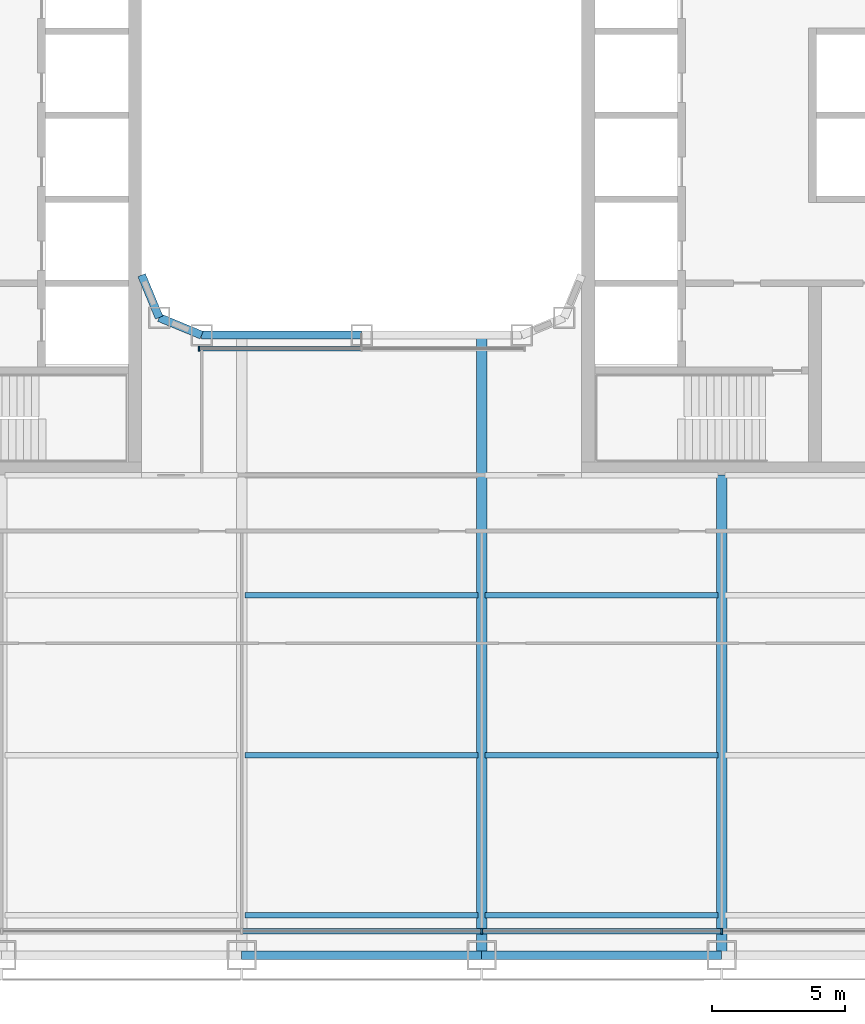
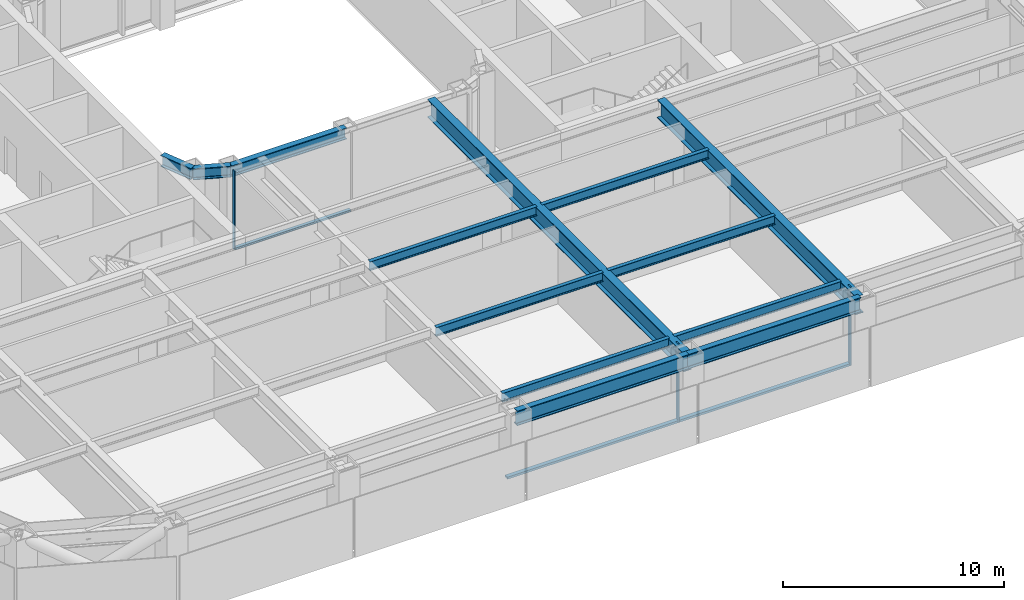
# One storey, part 3 of 30: 13 beams, 6 members, 2 elements without a shape of their own.
"""IFC4 building model written with IfcOpenShell, lengths in metres."""

from ifc_helpers import new_model, si_unit, direction, frame, origin, origin_2d, place, context, subcontext, project, spatial, rectangle, i_section, extrude, material, layer, layer_set, material_profile, profile_set, type_object, element, aggregate, save


model = new_model("IFC4")

# Units and contexts
model_context = context("Model", 3, precision=1e-05, world=origin(), true_north=direction((0.0, 1.0)))
body_context = subcontext(model_context, "Body", "Model", "MODEL_VIEW")
ifc_project = project(units=[si_unit("LENGTHUNIT", "METRE"), si_unit("AREAUNIT", "SQUARE_METRE"), si_unit("VOLUMEUNIT", "CUBIC_METRE"), si_unit("PLANEANGLEUNIT", "RADIAN"), si_unit("MASSUNIT", "GRAM", prefix="KILO")], contexts=[model_context])

# Site, building, storey
site_placement = place(None, origin())
site = spatial("IfcSite", under=ifc_project, at=site_placement, CompositionType="ELEMENT")
building_placement = place(site_placement, origin())
building = spatial("IfcBuilding", under=site, at=building_placement, Name="Siwar Civic Tower", CompositionType="ELEMENT")
storey_placement = place(building_placement, frame((0.0, 0.0, 26.699951171875)))
storey = spatial("IfcBuildingStorey", under=building, at=storey_placement, Name="L05", CompositionType="ELEMENT", Elevation=26.699951171875)

# Curtain wall, members
ifc_material_1 = material(Name="Aluminium and glass", Category="aluminium")
ifc_layer_1 = layer(ifc_material_1, 0.219970703125)
ifc_layer_set_1 = layer_set([ifc_layer_1], Name="Aluminium and glass")
curtain_wall_type_1 = type_object("IfcCurtainWallType", Name="ENV-CW-A", PredefinedType="NOTDEFINED", material=ifc_layer_set_1)
curtain_wall_1_placement = place(storey_placement, origin())
curtain_wall_1 = element("IfcCurtainWall", 1, at=curtain_wall_1_placement, inside=storey, type_object=curtain_wall_type_1, Name="Curtain wall A S", PredefinedType="NOTDEFINED")
ifc_material_2 = material(Name="Aluminium 6063-T6", Category="aluminium")
ifc_material_profile_1 = material_profile(ifc_material_2, rectangle(XDim=0.219970703125, YDim=0.070068359375, at=origin_2d()), Name="AL 220x70")
ifc_profile_set_1 = profile_set([ifc_material_profile_1], Name="Aluminium 6063-T6")
member_type_1 = type_object("IfcMemberType", Name="ENV-MULLION-A", PredefinedType="MULLION", material=ifc_profile_set_1)
member_1_placement = place(storey_placement, frame((4.5, -30.60009765625, 0.0), z_axis=(0.0, 0.0, 1.0), x_axis=(0.0, 1.0, 0.0)))
member_1 = element("IfcMember", 2, at=member_1_placement, type_object=member_type_1, Name="Mullion A S 4", PredefinedType="MULLION", context=body_context, shape_type="SweptSolid", body=[
    extrude(rectangle(XDim=0.219970703125, YDim=0.070068359375, at=origin_2d()), origin(), (0.0, 0.0, 1.0), 4.35009765625),
])
member_2_placement = place(storey_placement, frame((13.5, -30.60009765625, 0.0), z_axis=(0.0, 0.0, 1.0), x_axis=(0.0, 1.0, 0.0)))
member_2 = element("IfcMember", 3, at=member_2_placement, type_object=member_type_1, Name="Mullion A S 5", PredefinedType="MULLION", context=body_context, shape_type="SweptSolid", body=[
    extrude(rectangle(XDim=0.219970703125, YDim=0.070068359375, at=origin_2d()), origin(), (0.0, 0.0, 1.0), 4.35009765625),
])

# Curtain wall, member
ifc_material_3 = material(Name="Aluminium and glass", Category="aluminium")
ifc_layer_2 = layer(ifc_material_3, 0.179931640625)
ifc_layer_set_2 = layer_set([ifc_layer_2], Name="Aluminium and glass")
curtain_wall_type_2 = type_object("IfcCurtainWallType", Name="ENV-CW-W", PredefinedType="NOTDEFINED", material=ifc_layer_set_2)
curtain_wall_2_placement = place(storey_placement, origin())
curtain_wall_2 = element("IfcCurtainWall", 4, at=curtain_wall_2_placement, inside=storey, type_object=curtain_wall_type_2, Name="Curtain wall W WS", PredefinedType="NOTDEFINED")
ifc_material_4 = material(Name="Aluminium 6063-T6", Category="aluminium")
ifc_material_profile_2 = material_profile(ifc_material_4, rectangle(XDim=0.179931640625, YDim=0.06005859375, at=origin_2d()), Name="AL 180x60")
ifc_profile_set_2 = profile_set([ifc_material_profile_2], Name="Aluminium 6063-T6")
member_type_2 = type_object("IfcMemberType", Name="ENV-MULLION-W", PredefinedType="MULLION", material=ifc_profile_set_2)
member_3_placement = place(storey_placement, frame((-6.1015625, -8.760009765625, 0.0), z_axis=(0.0, 0.0, 1.0), x_axis=(0.0, 1.0, 0.0)))
member_3 = element("IfcMember", 5, at=member_3_placement, type_object=member_type_2, Name="Mullion W WS 1", PredefinedType="MULLION", context=body_context, shape_type="SweptSolid", body=[
    extrude(rectangle(XDim=0.179931640625, YDim=0.06005859375, at=origin_2d()), origin(), (0.0, 0.0, 1.0), 4.35009765625),
])

# Member
ifc_material_5 = material(Name="Aluminium 6063-T6", Category="aluminium")
ifc_material_profile_3 = material_profile(ifc_material_5, rectangle(XDim=0.219970703125, YDim=0.1201171875, at=origin_2d()), Name="AL 220x120")
ifc_profile_set_3 = profile_set([ifc_material_profile_3], Name="Aluminium 6063-T6")
member_type_3 = type_object("IfcMemberType", Name="ENV-TRANSOM-A", PredefinedType="USERDEFINED", material=ifc_profile_set_3)
member_4_placement = place(storey_placement, frame((-4.465087890625, -30.60009765625, 0.06005859375), z_axis=(1.0, 0.0, 0.0), x_axis=(0.0, 1.0, 0.0)))
member_4 = element("IfcMember", 6, at=member_4_placement, type_object=member_type_3, Name="Transom A S 3", ObjectType="TRANSOM", PredefinedType="USERDEFINED", context=body_context, shape_type="SweptSolid", body=[
    extrude(rectangle(XDim=0.219970703125, YDim=0.1201171875, at=origin_2d()), origin(), (0.0, 0.0, 1.0), 8.93017578125),
])

member_5_placement = place(storey_placement, frame((4.534912109375, -30.60009765625, 0.06005859375), z_axis=(1.0, 0.0, 0.0), x_axis=(0.0, 1.0, 0.0)))
member_5 = element("IfcMember", 7, at=member_5_placement, type_object=member_type_3, Name="Transom A S 4", ObjectType="TRANSOM", PredefinedType="USERDEFINED", context=body_context, shape_type="SweptSolid", body=[
    extrude(rectangle(XDim=0.219970703125, YDim=0.1201171875, at=origin_2d()), origin(), (0.0, 0.0, 1.0), 8.93017578125),
])

aggregate(curtain_wall_1, [member_1, member_2, member_4, member_5])

ifc_material_6 = material(Name="Aluminium 6063-T6", Category="aluminium")
ifc_material_profile_4 = material_profile(ifc_material_6, rectangle(XDim=0.179931640625, YDim=0.10009765625, at=origin_2d()), Name="AL 180x100")
ifc_profile_set_4 = profile_set([ifc_material_profile_4], Name="Aluminium 6063-T6")
member_type_4 = type_object("IfcMemberType", Name="ENV-TRANSOM-W", PredefinedType="USERDEFINED", material=ifc_profile_set_4)
member_6_placement = place(storey_placement, frame((-6.071533203125, -8.760009765625, 0.050048828125), z_axis=(1.0, 0.0, 0.0), x_axis=(0.0, 1.0, 0.0)))
member_6 = element("IfcMember", 8, at=member_6_placement, type_object=member_type_4, Name="Transom W WS 1", ObjectType="TRANSOM", PredefinedType="USERDEFINED", context=body_context, shape_type="SweptSolid", body=[
    extrude(rectangle(XDim=0.179931640625, YDim=0.10009765625, at=origin_2d()), origin(), (0.0, 0.0, 1.0), 6.04150390625),
])

aggregate(curtain_wall_2, [member_3, member_6])

# Beams
ifc_material_7 = material(Name="Steel S355", Category="steel")
ifc_material_profile_5 = material_profile(ifc_material_7, i_section(OverallWidth=0.199951171875, OverallDepth=0.5, WebThickness=0.01025390625, FlangeThickness=0.01611328125, FilletRadius=0.02099609375, at=origin_2d()), Name="IPE500")
ifc_profile_set_5 = profile_set([ifc_material_profile_5], Name="Steel S355")
beam_type_1 = type_object("IfcBeamType", Name="STR-FB-IPE500", PredefinedType="JOIST", material=ifc_profile_set_5)
for number, where, z_axis, x_axis, name in (
    (9, (-4.3701171875, -30.0, 4.10009765625), (1.0, 0.0, 0.0), (0.0, 1.0, 0.0), "L05/bm/F004"),
    (10, (4.6298828125, -30.0, 4.10009765625), (1.0, 0.0, 0.0), (0.0, 1.0, 0.0), "L05/bm/F005"),
    (11, (-4.3701171875, -24.0, 4.10009765625), (1.0, 0.0, 0.0), (0.0, 1.0, 0.0), "L05/bm/F011"),
    (12, (4.6298828125, -24.0, 4.10009765625), (1.0, 0.0, 0.0), (0.0, 1.0, 0.0), "L05/bm/F012"),
    (13, (-4.3701171875, -18.0, 4.10009765625), (1.0, 0.0, 0.0), (0.0, 1.0, 0.0), "L05/bm/F018"),
    (14, (4.6298828125, -18.0, 4.10009765625), (1.0, 0.0, 0.0), (0.0, 1.0, 0.0), "L05/bm/F019"),
):
    element("IfcBeam", number, at=place(storey_placement, frame(where, z_axis=z_axis, x_axis=x_axis)), inside=storey, type_object=beam_type_1, Name=name, PredefinedType="JOIST", context=body_context, shape_type="SweptSolid", body=[
        extrude(i_section(OverallWidth=0.199951171875, OverallDepth=0.5, WebThickness=0.01025390625, FlangeThickness=0.01611328125, FilletRadius=0.02099609375, at=origin_2d()), origin(), (0.0, 0.0, 1.0), 8.740234375),
    ])
ifc_material_8 = material(Name="Steel S355", Category="steel")
ifc_material_profile_6 = material_profile(ifc_material_8, i_section(OverallWidth=0.39990234375, OverallDepth=1.0, WebThickness=0.01611328125, FlangeThickness=0.0400390625, at=origin_2d()), Name="PG1000x400x16x40")
ifc_profile_set_6 = profile_set([ifc_material_profile_6], Name="Steel S355")
beam_type_2 = type_object("IfcBeamType", Name="STR-PG-PG1000x400x16x40", PredefinedType="BEAM", material=ifc_profile_set_6)
beam_1_placement = place(storey_placement, frame((4.5, -31.5, 3.85009765625), z_axis=(0.0, 1.0, 0.0), x_axis=(-1.0, 0.0, 0.0)))
element("IfcBeam", 15, at=beam_1_placement, inside=storey, type_object=beam_type_2, Name="L05/bm/G07", PredefinedType="BEAM", context=body_context, shape_type="SweptSolid", body=[
    extrude(i_section(OverallWidth=0.39990234375, OverallDepth=1.0, WebThickness=0.01611328125, FlangeThickness=0.0400390625, at=origin_2d()), origin(), (0.0, 0.0, 1.0), 23.25),
])
beam_2_placement = place(storey_placement, frame((13.5, -31.5, 3.85009765625), z_axis=(0.0, 1.0, 0.0), x_axis=(-1.0, 0.0, 0.0)))
element("IfcBeam", 16, at=beam_2_placement, inside=storey, type_object=beam_type_2, Name="L05/bm/G09", PredefinedType="BEAM", context=body_context, shape_type="SweptSolid", body=[
    extrude(i_section(OverallWidth=0.39990234375, OverallDepth=1.0, WebThickness=0.01611328125, FlangeThickness=0.0400390625, at=origin_2d()), origin(), (0.0, 0.0, 1.0), 18.0),
])
ifc_material_9 = material(Name="Steel S355", Category="steel")
ifc_material_profile_7 = material_profile(ifc_material_9, i_section(OverallWidth=0.304931640625, OverallDepth=0.6201171875, WebThickness=0.02099609375, FlangeThickness=0.0400390625, FilletRadius=0.027099609375, at=origin_2d()), Name="HEM600")
ifc_profile_set_7 = profile_set([ifc_material_profile_7], Name="Steel S355")
beam_type_3 = type_object("IfcBeamType", Name="STR-RB-HEM600", PredefinedType="BEAM", material=ifc_profile_set_7)
beam_3_placement = place(storey_placement, frame((-7.591064453125, -7.591064453125, 4.0400390625), z_axis=(0.923901072997, -0.382631424892, 0.0), x_axis=(0.382631424892, 0.923901072997, 0.0)))
element("IfcBeam", 17, at=beam_3_placement, inside=storey, type_object=beam_type_3, Name="L05/bm/RS0", PredefinedType="BEAM", context=body_context, shape_type="SweptSolid", body=[
    extrude(i_section(OverallWidth=0.304931640625, OverallDepth=0.6201171875, WebThickness=0.02099609375, FlangeThickness=0.0400390625, FilletRadius=0.027099609375, at=origin_2d()), origin(), (0.0, 0.0, 1.0), 1.72216796875),
])
beam_4_placement = place(storey_placement, frame((-6.0, -8.25, 4.0400390625), z_axis=(1.0, 0.0, 0.0), x_axis=(0.0, 1.0, 0.0)))
element("IfcBeam", 18, at=beam_4_placement, inside=storey, type_object=beam_type_3, Name="L05/bm/RS1", PredefinedType="BEAM", context=body_context, shape_type="SweptSolid", body=[
    extrude(i_section(OverallWidth=0.304931640625, OverallDepth=0.6201171875, WebThickness=0.02099609375, FlangeThickness=0.0400390625, FilletRadius=0.027099609375, at=origin_2d()), origin(), (0.0, 0.0, 1.0), 6.0),
])
beam_5_placement = place(storey_placement, frame((-7.591064453125, -7.591064453125, 4.0400390625), z_axis=(-0.382631424892, 0.923901072997, 0.0), x_axis=(-0.923901072997, -0.382631424892, 0.0)))
element("IfcBeam", 19, at=beam_5_placement, inside=storey, type_object=beam_type_3, Name="L05/bm/RSEW", PredefinedType="BEAM", context=body_context, shape_type="SweptSolid", body=[
    extrude(i_section(OverallWidth=0.304931640625, OverallDepth=0.6201171875, WebThickness=0.02099609375, FlangeThickness=0.0400390625, FilletRadius=0.027099609375, at=origin_2d()), origin(), (0.0, 0.0, 1.0), 1.72216796875),
])
ifc_material_10 = material(Name="Steel S355", Category="steel")
ifc_material_profile_8 = material_profile(ifc_material_10, i_section(OverallWidth=0.302978515625, OverallDepth=0.81396484375, WebThickness=0.02099609375, FlangeThickness=0.0400390625, FilletRadius=0.030029296875, at=origin_2d()), Name="HEM800")
ifc_profile_set_8 = profile_set([ifc_material_profile_8], Name="Steel S355")
beam_type_4 = type_object("IfcBeamType", Name="STR-SB-HEM800", PredefinedType="BEAM", material=ifc_profile_set_8)
for number, where, z_axis, x_axis, name in (
    (20, (-4.5, -31.5, 3.943115234375), (1.0, 0.0, 0.0), (0.0, 1.0, 0.0), "L05/bm/SS-2"),
    (21, (4.5, -31.5, 3.943115234375), (1.0, 0.0, 0.0), (0.0, 1.0, 0.0), "L05/bm/SS-3"),
):
    element("IfcBeam", number, at=place(storey_placement, frame(where, z_axis=z_axis, x_axis=x_axis)), inside=storey, type_object=beam_type_4, Name=name, PredefinedType="BEAM", context=body_context, shape_type="SweptSolid", body=[
        extrude(i_section(OverallWidth=0.302978515625, OverallDepth=0.81396484375, WebThickness=0.02099609375, FlangeThickness=0.0400390625, FilletRadius=0.030029296875, at=origin_2d()), origin(), (0.0, 0.0, 1.0), 9.0),
    ])

save(model, "model.ifc")
